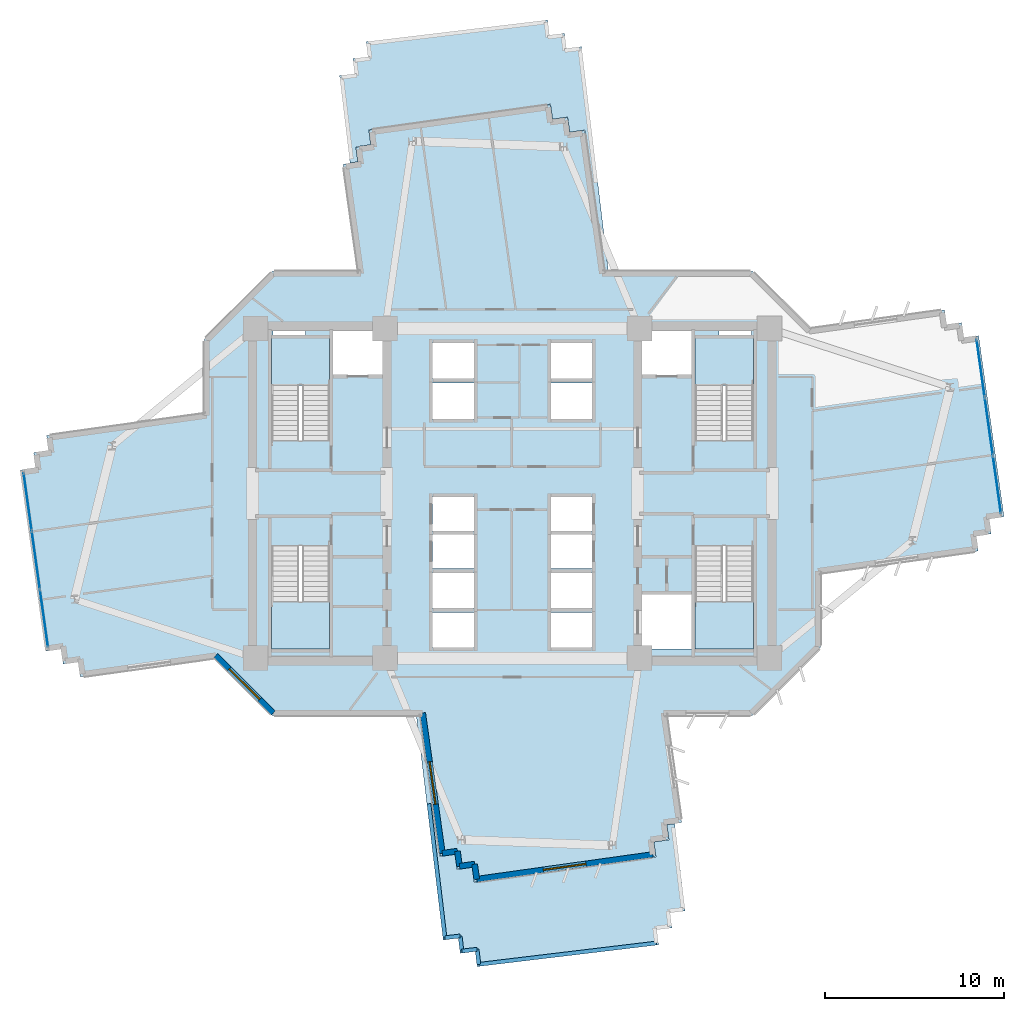
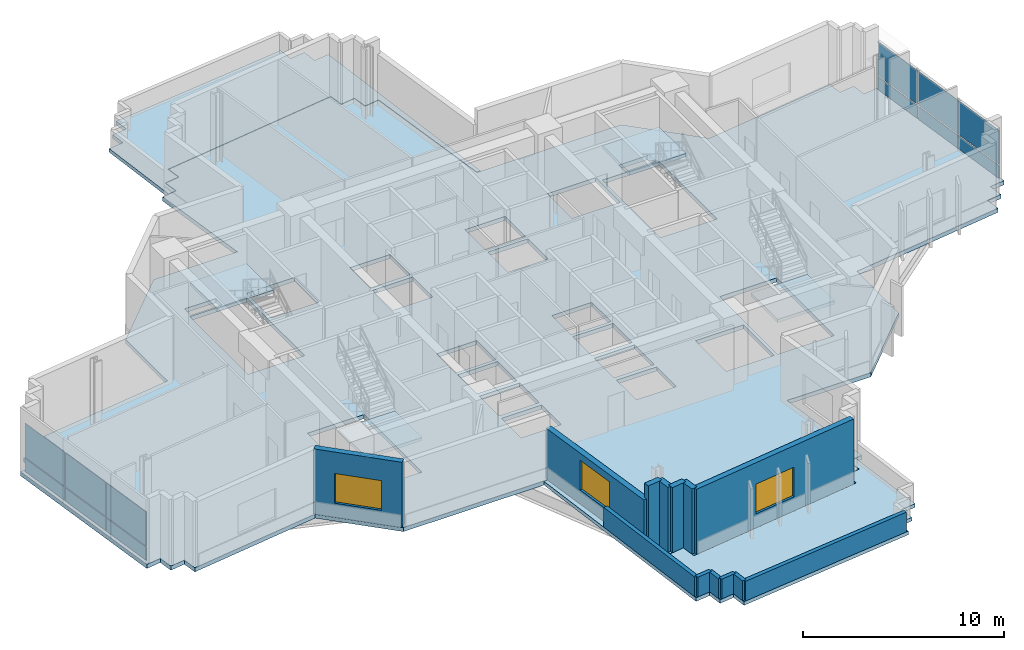
# One storey, part 5 of 13: 13 walls, 12 plates, 7 slabs, 3 windows, 3 openings, 6 elements without a shape of their own.
"""IFC4 building model written with IfcOpenShell, lengths in metres."""

from ifc_helpers import new_model, si_unit, direction, frame, frame_2d, origin, origin_2d, place, context, subcontext, project, spatial, polyline, rectangle, outline, extrude, source, transform, mapped, material, layer, layer_set, type_object, element, fill, aggregate, save


model = new_model("IFC4")

# Units and contexts
model_context = context("Model", 3, precision=1e-05, world=origin(), true_north=direction((0.0, 1.0)))
body_context = subcontext(model_context, "Body", "Model", "MODEL_VIEW")
ifc_project = project(units=[si_unit("LENGTHUNIT", "METRE"), si_unit("AREAUNIT", "SQUARE_METRE"), si_unit("VOLUMEUNIT", "CUBIC_METRE"), si_unit("PLANEANGLEUNIT", "RADIAN"), si_unit("MASSUNIT", "GRAM", prefix="KILO")], contexts=[model_context])

# Site, building, storey
site_placement = place(None, origin())
site = spatial("IfcSite", under=ifc_project, at=site_placement, CompositionType="ELEMENT")
building_placement = place(site_placement, origin())
building = spatial("IfcBuilding", under=site, at=building_placement, Name="Zahravan Cultural Tower", CompositionType="ELEMENT")
storey_placement = place(building_placement, frame((0.0, 0.0, 117.300048828125)))
storey = spatial("IfcBuildingStorey", under=building, at=storey_placement, Name="L26", CompositionType="ELEMENT", Elevation=117.300048828125)

# Slabs
ifc_material_1 = material(Name="Precast concrete C40/50", Category="concrete")
ifc_layer_1 = layer(ifc_material_1, 0.219970703125)
ifc_layer_set_1 = layer_set([ifc_layer_1], Name="Precast concrete C40/50")
slab_type_1 = type_object("IfcSlabType", Name="SL-ROOF-220", PredefinedType="ROOF", material=ifc_layer_set_1)
slab_1_placement = place(storey_placement, frame((0.0, 0.0, -0.219970703125)))
element("IfcSlab", 1, at=slab_1_placement, inside=storey, type_object=slab_type_1, Name="L26 Setback Roof Slab 1", PredefinedType="ROOF", context=body_context, shape_type="SweptSolid", body=[
    extrude(outline(polyline([(44.8017578125, 3.58154296875), (45.645751953125, 3.682861328125), (45.060791015625, 8.559326171875), (44.6220703125, 8.497802734375), (44.7373046875, 7.67578125), (44.730712890625, 7.658203125), (43.8984375, 7.5380859375), (44.013671875, 6.716064453125), (44.009765625, 6.701416015625), (43.99853515625, 6.69384765625), (33.895263671875, 5.277587890625), (33.880615234375, 5.28125), (33.872802734375, 5.29443359375), (33.757568359375, 6.116455078125), (32.935546875, 6.001220703125), (32.91650390625, 6.00927734375), (32.7978515625, 6.840087890625), (31.975830078125, 6.72509765625), (31.9609375, 6.728759765625), (31.953125, 6.741943359375), (30.8544921875, 14.580078125), (30.64111328125, 14.580078125), (32.142578125, 2.06298828125), (32.986328125, 2.164306640625), (33.087646484375, 1.3203125), (33.931640625, 1.421630859375), (34.03271484375, 0.57763671875), (44.16015625, 1.79248046875), (44.05908203125, 2.636474609375), (44.90283203125, 2.737548828125), (44.8017578125, 3.58154296875)])), origin(), (0.0, 0.0, 1.0), 0.219970703125),
])
slab_2_placement = place(storey_placement, frame((0.0, 0.0, -0.219970703125)))
element("IfcSlab", 2, at=slab_2_placement, inside=storey, type_object=slab_type_1, Name="L26 Setback Roof Slab 2", PredefinedType="ROOF", context=body_context, shape_type="SweptSolid", body=[
    extrude(outline(polyline([(27.1982421875, 50.41845703125), (26.354248046875, 50.317138671875), (26.939208984375, 45.440673828125), (27.3779296875, 45.502197265625), (27.2626953125, 46.32421875), (27.269287109375, 46.341796875), (28.1015625, 46.4619140625), (27.986328125, 47.283935546875), (27.990234375, 47.298583984375), (28.00146484375, 47.30615234375), (38.104736328125, 48.722412109375), (38.119384765625, 48.71875), (38.127197265625, 48.70556640625), (38.242431640625, 47.883544921875), (39.064453125, 47.998779296875), (39.08349609375, 47.99072265625), (39.2021484375, 47.159912109375), (40.024169921875, 47.27490234375), (40.0390625, 47.271240234375), (40.046875, 47.258056640625), (41.1455078125, 39.419921875), (41.35888671875, 39.419921875), (39.857421875, 51.93701171875), (39.013671875, 51.835693359375), (38.912353515625, 52.6796875), (38.068359375, 52.578369140625), (37.96728515625, 53.42236328125), (27.83984375, 52.20751953125), (27.94091796875, 51.363525390625), (27.09716796875, 51.262451171875), (27.1982421875, 50.41845703125)])), origin(), (0.0, 0.0, 1.0), 0.219970703125),
])

# Stair, slab
ifc_material_2 = material(Name="Concrete C45/55", Category="concrete")
stair_type = type_object("IfcStairType", Name="STR-DL-1550-420", PredefinedType="HALF_TURN_STAIR", material=ifc_material_2)
stair_1_placement = place(storey_placement, origin())
stair_1 = element("IfcStair", 3, at=stair_1_placement, inside=storey, type_object=stair_type, Name="L26 West Core North Exit Stair ST-W1", PredefinedType="HALF_TURN_STAIR")
ifc_layer_2 = layer(ifc_material_2, 0.199951171875)
ifc_layer_set_2 = layer_set([ifc_layer_2], Name="Concrete C45/55")
slab_type_2 = type_object("IfcSlabType", Name="SL-STAIR-LND200", PredefinedType="LANDING", material=ifc_layer_set_2)
slab_3_placement = place(storey_placement, frame((0.0, 0.0, 1.89990234375)))
slab_3 = element("IfcSlab", 4, at=slab_3_placement, type_object=slab_type_2, Name="ST-W1 landing 1", PredefinedType="LANDING", context=body_context, shape_type="SweptSolid", body=[
    extrude(outline(polyline([(25.800048828125, 33.030029296875), (25.800048828125, 35.699951171875), (22.550048828125, 35.699951171875), (22.550048828125, 33.030029296875), (25.800048828125, 33.030029296875)])), origin(), (0.0, 0.0, 1.0), 0.199951171875),
])
aggregate(stair_1, [slab_3])

stair_2_placement = place(storey_placement, origin())
stair_2 = element("IfcStair", 5, at=stair_2_placement, inside=storey, type_object=stair_type, Name="L26 West Core South Exit Stair ST-W2", PredefinedType="HALF_TURN_STAIR")
slab_4_placement = place(storey_placement, frame((0.0, 0.0, 1.89990234375)))
slab_4 = element("IfcSlab", 6, at=slab_4_placement, type_object=slab_type_2, Name="ST-W2 landing 1", PredefinedType="LANDING", context=body_context, shape_type="SweptSolid", body=[
    extrude(outline(polyline([(22.550048828125, 20.969970703125), (22.550048828125, 18.300048828125), (25.800048828125, 18.300048828125), (25.800048828125, 20.969970703125), (22.550048828125, 20.969970703125)])), origin(), (0.0, 0.0, 1.0), 0.199951171875),
])
aggregate(stair_2, [slab_4])

stair_3_placement = place(storey_placement, origin())
stair_3 = element("IfcStair", 7, at=stair_3_placement, inside=storey, type_object=stair_type, Name="L26 East Core North Exit Stair ST-E1", PredefinedType="HALF_TURN_STAIR")
slab_5_placement = place(storey_placement, frame((0.0, 0.0, 1.89990234375)))
slab_5 = element("IfcSlab", 8, at=slab_5_placement, type_object=slab_type_2, Name="ST-E1 landing 1", PredefinedType="LANDING", context=body_context, shape_type="SweptSolid", body=[
    extrude(outline(polyline([(49.449951171875, 33.030029296875), (49.449951171875, 35.699951171875), (46.199951171875, 35.699951171875), (46.199951171875, 33.030029296875), (49.449951171875, 33.030029296875)])), origin(), (0.0, 0.0, 1.0), 0.199951171875),
])
aggregate(stair_3, [slab_5])

stair_4_placement = place(storey_placement, origin())
stair_4 = element("IfcStair", 9, at=stair_4_placement, inside=storey, type_object=stair_type, Name="L26 East Core South Exit Stair ST-E2", PredefinedType="HALF_TURN_STAIR")
slab_6_placement = place(storey_placement, frame((0.0, 0.0, 1.89990234375)))
slab_6 = element("IfcSlab", 10, at=slab_6_placement, type_object=slab_type_2, Name="ST-E2 landing 1", PredefinedType="LANDING", context=body_context, shape_type="SweptSolid", body=[
    extrude(outline(polyline([(46.199951171875, 20.969970703125), (46.199951171875, 18.300048828125), (49.449951171875, 18.300048828125), (49.449951171875, 20.969970703125), (46.199951171875, 20.969970703125)])), origin(), (0.0, 0.0, 1.0), 0.199951171875),
])
aggregate(stair_4, [slab_6])

# Slab
ifc_material_3 = material(Name="Concrete C40/50", Category="concrete")
ifc_layer_3 = layer(ifc_material_3, 0.25)
ifc_layer_set_3 = layer_set([ifc_layer_3], Name="Concrete C40/50")
slab_type_3 = type_object("IfcSlabType", Name="SL-TYP-250", PredefinedType="FLOOR", material=ifc_layer_set_3)
slab_7_placement = place(storey_placement, frame((0.0, 0.0, -0.25)))
element("IfcSlab", 11, at=slab_7_placement, inside=storey, type_object=slab_type_3, Name="L26 Structural Floor Slab", PredefinedType="FLOOR", context=body_context, shape_type="SweptSolid", body=[
    extrude(outline(polyline([(52.605712890625, 36.1943359375), (49.39990234375, 39.39990234375), (41.128173828125, 39.39990234375), (40.027099609375, 47.255126953125), (39.185302734375, 47.13720703125), (39.067138671875, 47.97900390625), (38.2255859375, 47.861083984375), (38.107421875, 48.70263671875), (28.006103515625, 47.28662109375), (28.124267578125, 46.44482421875), (27.282470703125, 46.326904296875), (27.400390625, 45.485107421875), (26.55859375, 45.3671875), (27.395263671875, 39.39990234375), (22.60009765625, 39.39990234375), (18.800048828125, 35.60009765625), (18.800048828125, 31.455322265625), (10.0009765625, 30.2216796875), (10.118896484375, 29.3798828125), (9.277099609375, 29.261962890625), (9.395263671875, 28.42041015625), (8.553466796875, 28.30224609375), (9.969482421875, 18.200927734375), (10.811279296875, 18.319091796875), (10.92919921875, 17.477294921875), (11.77099609375, 17.59521484375), (11.888916015625, 16.75341796875), (19.394287109375, 17.8056640625), (22.60009765625, 14.60009765625), (30.871826171875, 14.60009765625), (31.972900390625, 6.744873046875), (32.814697265625, 6.86279296875), (32.932861328125, 6.02099609375), (33.7744140625, 6.138916015625), (33.892578125, 5.29736328125), (43.993896484375, 6.71337890625), (43.875732421875, 7.55517578125), (44.717529296875, 7.673095703125), (44.599609375, 8.514892578125), (45.44140625, 8.6328125), (44.604736328125, 14.60009765625), (49.39990234375, 14.60009765625), (53.199951171875, 18.39990234375), (53.199951171875, 22.544677734375), (61.9990234375, 23.7783203125), (61.881103515625, 24.6201171875), (62.722900390625, 24.738037109375), (62.604736328125, 25.57958984375), (63.446533203125, 25.69775390625), (62.030517578125, 35.799072265625), (61.188720703125, 35.680908203125), (61.07080078125, 36.522705078125), (60.22900390625, 36.40478515625), (60.111083984375, 37.24658203125), (52.605712890625, 36.1943359375)]), holes=[polyline([(22.550048828125, 29.949951171875), (22.550048828125, 35.699951171875), (25.800048828125, 35.699951171875), (25.800048828125, 29.949951171875), (22.550048828125, 29.949951171875)]), polyline([(22.550048828125, 18.300048828125), (22.550048828125, 24.050048828125), (25.800048828125, 24.050048828125), (25.800048828125, 18.300048828125), (22.550048828125, 18.300048828125)]), polyline([(46.199951171875, 29.949951171875), (46.199951171875, 35.699951171875), (49.449951171875, 35.699951171875), (49.449951171875, 29.949951171875), (46.199951171875, 29.949951171875)]), polyline([(46.199951171875, 18.300048828125), (46.199951171875, 24.050048828125), (49.449951171875, 24.050048828125), (49.449951171875, 18.300048828125), (46.199951171875, 18.300048828125)]), polyline([(26.0, 33.60009765625), (26.0, 36.050048828125), (28.75, 36.050048828125), (28.75, 33.60009765625), (26.0, 33.60009765625)]), polyline([(43.25, 33.60009765625), (43.25, 36.050048828125), (46.0, 36.050048828125), (46.0, 33.60009765625), (43.25, 33.60009765625)]), polyline([(43.25, 18.300048828125), (43.25, 21.35009765625), (46.0, 21.35009765625), (46.0, 18.300048828125), (43.25, 18.300048828125)]), polyline([(31.550048828125, 33.39990234375), (31.550048828125, 35.39990234375), (33.85009765625, 35.39990234375), (33.85009765625, 33.39990234375), (31.550048828125, 33.39990234375)]), polyline([(31.550048828125, 31.14990234375), (31.550048828125, 33.14990234375), (33.85009765625, 33.14990234375), (33.85009765625, 31.14990234375), (31.550048828125, 31.14990234375)]), polyline([(38.14990234375, 33.39990234375), (38.14990234375, 35.39990234375), (40.449951171875, 35.39990234375), (40.449951171875, 33.39990234375), (38.14990234375, 33.39990234375)]), polyline([(38.14990234375, 31.14990234375), (38.14990234375, 33.14990234375), (40.449951171875, 33.14990234375), (40.449951171875, 31.14990234375), (38.14990234375, 31.14990234375)]), polyline([(31.550048828125, 20.60009765625), (31.550048828125, 22.550048828125), (33.85009765625, 22.550048828125), (33.85009765625, 20.60009765625), (31.550048828125, 20.60009765625)]), polyline([(31.550048828125, 18.39990234375), (31.550048828125, 20.35009765625), (33.85009765625, 20.35009765625), (33.85009765625, 18.39990234375), (31.550048828125, 18.39990234375)]), polyline([(38.14990234375, 20.60009765625), (38.14990234375, 22.550048828125), (40.449951171875, 22.550048828125), (40.449951171875, 20.60009765625), (38.14990234375, 20.60009765625)]), polyline([(38.14990234375, 18.39990234375), (38.14990234375, 20.35009765625), (40.449951171875, 20.35009765625), (40.449951171875, 18.39990234375), (38.14990234375, 18.39990234375)]), polyline([(31.550048828125, 24.89990234375), (31.550048828125, 26.800048828125), (33.85009765625, 26.800048828125), (33.85009765625, 24.89990234375), (31.550048828125, 24.89990234375)]), polyline([(31.550048828125, 22.800048828125), (31.550048828125, 24.699951171875), (33.85009765625, 24.699951171875), (33.85009765625, 22.800048828125), (31.550048828125, 22.800048828125)]), polyline([(38.14990234375, 24.89990234375), (38.14990234375, 26.800048828125), (40.449951171875, 26.800048828125), (40.449951171875, 24.89990234375), (38.14990234375, 24.89990234375)]), polyline([(38.14990234375, 22.800048828125), (38.14990234375, 24.699951171875), (40.449951171875, 24.699951171875), (40.449951171875, 22.800048828125), (38.14990234375, 22.800048828125)]), polyline([(22.64990234375, 35.800048828125), (22.64990234375, 36.419921875), (24.449951171875, 36.419921875), (24.449951171875, 35.800048828125), (22.64990234375, 35.800048828125)]), polyline([(47.550048828125, 35.800048828125), (47.550048828125, 36.419921875), (49.35009765625, 36.419921875), (49.35009765625, 35.800048828125), (47.550048828125, 35.800048828125)])]), origin(), (0.0, 0.0, 1.0), 0.25),
])

# Curtain wall, plates
ifc_material_4 = material(Name="Anodised bronze-aluminium mullion", Category="aluminium")
ifc_layer_4 = layer(ifc_material_4, 0.219970703125)
ifc_layer_set_4 = layer_set([ifc_layer_4], Name="Anodised bronze-aluminium mullion")
curtain_wall_type_1 = type_object("IfcCurtainWallType", Name="CW-SYS-1", PredefinedType="USERDEFINED", material=ifc_layer_set_4)
curtain_wall_1_placement = place(storey_placement, origin())
curtain_wall_1 = element("IfcCurtainWall", 12, at=curtain_wall_1_placement, inside=storey, type_object=curtain_wall_type_1, Name="L26 Recessed Curtain Wall CW-1.1", ObjectType="RECESSED GLAZING", PredefinedType="USERDEFINED")
ifc_material_5 = material(Name="Low-E solar-control double glazing", Category="glass")
ifc_layer_5 = layer(ifc_material_5, 0.031982421875)
ifc_layer_set_5 = layer_set([ifc_layer_5], Name="Low-E solar-control double glazing")
plate_type_1 = type_object("IfcPlateType", Name="CWP-CW-1", PredefinedType="CURTAIN_PANEL", material=ifc_layer_set_5)
shared_shape_1 = source(origin(), body_context, "Body", "SweptSolid", [
    extrude(rectangle(XDim=3.186767578125, YDim=0.031982421875, at=origin_2d()), origin(), (0.0, 0.0, 1.0), 0.780029296875),
])
plate_1_placement = place(storey_placement, frame((62.1435546875, 33.983642578125, 0.080078125), z_axis=(0.0, 0.0, 1.0), x_axis=(0.138829759313, -0.99031626157, 0.0)))
plate_1 = element("IfcPlate", 13, at=plate_1_placement, type_object=plate_type_1, Name="CW-1 panel 1.1", PredefinedType="CURTAIN_PANEL", context=body_context, shape_type="MappedRepresentation", body=[
    mapped(shared_shape_1, transform((0.0, 0.0, 0.0), x_axis=(1.0, 0.0, 0.0), y_axis=(0.0, 1.0, 0.0), z_axis=(0.0, 0.0, 1.0), scale=1.0)),
])
plate_2_placement = place(storey_placement, frame((63.05615234375, 27.47412109375, 0.080078125), z_axis=(0.0, 0.0, 1.0), x_axis=(0.138829759313, -0.99031626157, 0.0)))
plate_2 = element("IfcPlate", 14, at=plate_2_placement, type_object=plate_type_1, Name="CW-1 panel 3.1", PredefinedType="CURTAIN_PANEL", context=body_context, shape_type="MappedRepresentation", body=[
    mapped(shared_shape_1, transform((0.0, 0.0, 0.0), x_axis=(1.0, 0.0, 0.0), y_axis=(0.0, 1.0, 0.0), z_axis=(0.0, 0.0, 1.0), scale=1.0)),
])
shared_shape_2 = source(origin(), body_context, "Body", "SweptSolid", [
    extrude(rectangle(XDim=3.186767578125, YDim=0.031982421875, at=origin_2d()), origin(), (0.0, 0.0, 1.0), 2.050048828125),
])
plate_3_placement = place(storey_placement, frame((62.1435546875, 33.983642578125, 0.93994140625), z_axis=(0.0, 0.0, 1.0), x_axis=(0.138829759313, -0.99031626157, 0.0)))
plate_3 = element("IfcPlate", 15, at=plate_3_placement, type_object=plate_type_1, Name="CW-1 panel 1.2", PredefinedType="CURTAIN_PANEL", context=body_context, shape_type="MappedRepresentation", body=[
    mapped(shared_shape_2, transform((0.0, 0.0, 0.0), x_axis=(1.0, 0.0, 0.0), y_axis=(0.0, 1.0, 0.0), z_axis=(0.0, 0.0, 1.0), scale=1.0)),
])
plate_4_placement = place(storey_placement, frame((63.05615234375, 27.47412109375, 0.93994140625), z_axis=(0.0, 0.0, 1.0), x_axis=(0.138829759313, -0.99031626157, 0.0)))
plate_4 = element("IfcPlate", 16, at=plate_4_placement, type_object=plate_type_1, Name="CW-1 panel 3.2", PredefinedType="CURTAIN_PANEL", context=body_context, shape_type="MappedRepresentation", body=[
    mapped(shared_shape_2, transform((0.0, 0.0, 0.0), x_axis=(1.0, 0.0, 0.0), y_axis=(0.0, 1.0, 0.0), z_axis=(0.0, 0.0, 1.0), scale=1.0)),
])
shared_shape_3 = source(origin(), body_context, "Body", "SweptSolid", [
    extrude(rectangle(XDim=3.226806640625, YDim=0.031982421875, at=origin_2d()), origin(), (0.0, 0.0, 1.0), 0.780029296875),
])
plate_5_placement = place(storey_placement, frame((62.599853515625, 30.72900390625, 0.080078125), z_axis=(0.0, 0.0, 1.0), x_axis=(0.138829759313, -0.99031626157, 0.0)))
plate_5 = element("IfcPlate", 17, at=plate_5_placement, type_object=plate_type_1, Name="CW-1 panel 2.1", PredefinedType="CURTAIN_PANEL", context=body_context, shape_type="MappedRepresentation", body=[
    mapped(shared_shape_3, transform((0.0, 0.0, 0.0), x_axis=(1.0, 0.0, 0.0), y_axis=(0.0, 1.0, 0.0), z_axis=(0.0, 0.0, 1.0), scale=1.0)),
])
shared_shape_4 = source(origin(), body_context, "Body", "SweptSolid", [
    extrude(rectangle(XDim=3.226806640625, YDim=0.031982421875, at=origin_2d()), origin(), (0.0, 0.0, 1.0), 2.050048828125),
])
plate_6_placement = place(storey_placement, frame((62.599853515625, 30.72900390625, 0.93994140625), z_axis=(0.0, 0.0, 1.0), x_axis=(0.138829759313, -0.99031626157, 0.0)))
plate_6 = element("IfcPlate", 18, at=plate_6_placement, type_object=plate_type_1, Name="CW-1 panel 2.2", PredefinedType="CURTAIN_PANEL", context=body_context, shape_type="MappedRepresentation", body=[
    mapped(shared_shape_4, transform((0.0, 0.0, 0.0), x_axis=(1.0, 0.0, 0.0), y_axis=(0.0, 1.0, 0.0), z_axis=(0.0, 0.0, 1.0), scale=1.0)),
])
aggregate(curtain_wall_1, [plate_1, plate_3, plate_5, plate_6, plate_2, plate_4])

ifc_layer_6 = layer(ifc_material_4, 0.199951171875)
ifc_layer_set_6 = layer_set([ifc_layer_6], Name="Anodised bronze-aluminium mullion")
curtain_wall_type_2 = type_object("IfcCurtainWallType", Name="CW-SYS-2", PredefinedType="USERDEFINED", material=ifc_layer_set_6)
curtain_wall_2_placement = place(storey_placement, origin())
curtain_wall_2 = element("IfcCurtainWall", 19, at=curtain_wall_2_placement, inside=storey, type_object=curtain_wall_type_2, Name="L26 Recessed Curtain Wall CW-2.2", ObjectType="RECESSED GLAZING", PredefinedType="USERDEFINED")
ifc_layer_7 = layer(ifc_material_5, 0.030029296875)
ifc_layer_set_7 = layer_set([ifc_layer_7], Name="Low-E solar-control double glazing")
plate_type_2 = type_object("IfcPlateType", Name="CWP-CW-2", PredefinedType="CURTAIN_PANEL", material=ifc_layer_set_7)
shared_shape_5 = source(origin(), body_context, "Body", "SweptSolid", [
    extrude(rectangle(XDim=3.194091796875, YDim=0.030029296875, at=origin_2d()), origin(), (0.0, 0.0, 1.0), 0.78759765625),
])
plate_7_placement = place(storey_placement, frame((9.8564453125, 20.014892578125, 0.074951171875), z_axis=(0.0, 0.0, 1.0), x_axis=(-0.138829759313, 0.99031626157, 0.0)))
plate_7 = element("IfcPlate", 20, at=plate_7_placement, type_object=plate_type_2, Name="CW-2 panel 1.1", PredefinedType="CURTAIN_PANEL", context=body_context, shape_type="MappedRepresentation", body=[
    mapped(shared_shape_5, transform((0.0, 0.0, 0.0), x_axis=(1.0, 0.0, 0.0), y_axis=(0.0, 1.0, 0.0), z_axis=(0.0, 0.0, 1.0), scale=1.0)),
])
plate_8_placement = place(storey_placement, frame((8.943603515625, 26.527099609375, 0.074951171875), z_axis=(0.0, 0.0, 1.0), x_axis=(-0.138829759313, 0.99031626157, 0.0)))
plate_8 = element("IfcPlate", 21, at=plate_8_placement, type_object=plate_type_2, Name="CW-2 panel 3.1", PredefinedType="CURTAIN_PANEL", context=body_context, shape_type="MappedRepresentation", body=[
    mapped(shared_shape_5, transform((0.0, 0.0, 0.0), x_axis=(1.0, 0.0, 0.0), y_axis=(0.0, 1.0, 0.0), z_axis=(0.0, 0.0, 1.0), scale=1.0)),
])
shared_shape_6 = source(origin(), body_context, "Body", "SweptSolid", [
    extrude(rectangle(XDim=3.194091796875, YDim=0.030029296875, at=origin_2d()), origin(), (0.0, 0.0, 1.0), 2.0576171875),
])
plate_9_placement = place(storey_placement, frame((9.8564453125, 20.014892578125, 0.9375), z_axis=(0.0, 0.0, 1.0), x_axis=(-0.138829759313, 0.99031626157, 0.0)))
plate_9 = element("IfcPlate", 22, at=plate_9_placement, type_object=plate_type_2, Name="CW-2 panel 1.2", PredefinedType="CURTAIN_PANEL", context=body_context, shape_type="MappedRepresentation", body=[
    mapped(shared_shape_6, transform((0.0, 0.0, 0.0), x_axis=(1.0, 0.0, 0.0), y_axis=(0.0, 1.0, 0.0), z_axis=(0.0, 0.0, 1.0), scale=1.0)),
])
plate_10_placement = place(storey_placement, frame((8.943603515625, 26.527099609375, 0.9375), z_axis=(0.0, 0.0, 1.0), x_axis=(-0.138829759313, 0.99031626157, 0.0)))
plate_10 = element("IfcPlate", 23, at=plate_10_placement, type_object=plate_type_2, Name="CW-2 panel 3.2", PredefinedType="CURTAIN_PANEL", context=body_context, shape_type="MappedRepresentation", body=[
    mapped(shared_shape_6, transform((0.0, 0.0, 0.0), x_axis=(1.0, 0.0, 0.0), y_axis=(0.0, 1.0, 0.0), z_axis=(0.0, 0.0, 1.0), scale=1.0)),
])
shared_shape_7 = source(origin(), body_context, "Body", "SweptSolid", [
    extrude(rectangle(XDim=3.231689453125, YDim=0.030029296875, at=origin_2d()), origin(), (0.0, 0.0, 1.0), 0.78759765625),
])
plate_11_placement = place(storey_placement, frame((9.400146484375, 23.27099609375, 0.074951171875), z_axis=(0.0, 0.0, 1.0), x_axis=(-0.138829759313, 0.99031626157, 0.0)))
plate_11 = element("IfcPlate", 24, at=plate_11_placement, type_object=plate_type_2, Name="CW-2 panel 2.1", PredefinedType="CURTAIN_PANEL", context=body_context, shape_type="MappedRepresentation", body=[
    mapped(shared_shape_7, transform((0.0, 0.0, 0.0), x_axis=(1.0, 0.0, 0.0), y_axis=(0.0, 1.0, 0.0), z_axis=(0.0, 0.0, 1.0), scale=1.0)),
])
shared_shape_8 = source(origin(), body_context, "Body", "SweptSolid", [
    extrude(rectangle(XDim=3.231689453125, YDim=0.030029296875, at=origin_2d()), origin(), (0.0, 0.0, 1.0), 2.0576171875),
])
plate_12_placement = place(storey_placement, frame((9.400146484375, 23.27099609375, 0.9375), z_axis=(0.0, 0.0, 1.0), x_axis=(-0.138829759313, 0.99031626157, 0.0)))
plate_12 = element("IfcPlate", 25, at=plate_12_placement, type_object=plate_type_2, Name="CW-2 panel 2.2", PredefinedType="CURTAIN_PANEL", context=body_context, shape_type="MappedRepresentation", body=[
    mapped(shared_shape_8, transform((0.0, 0.0, 0.0), x_axis=(1.0, 0.0, 0.0), y_axis=(0.0, 1.0, 0.0), z_axis=(0.0, 0.0, 1.0), scale=1.0)),
])
aggregate(curtain_wall_2, [plate_7, plate_9, plate_11, plate_12, plate_8, plate_10])

# Wall, opening, window
ifc_layer_8 = layer(ifc_material_1, 0.320068359375)
ifc_layer_set_8 = layer_set([ifc_layer_8], Name="Precast concrete C40/50")
wall_type_1 = type_object("IfcWallType", Name="EW-TC-320", PredefinedType="SOLIDWALL", material=ifc_layer_set_8)
wall_1_placement = place(storey_placement, frame((43.835693359375, 6.83251953125, 0.0), z_axis=(0.0, 0.0, 1.0), x_axis=(-0.990316250135, -0.138829840876, 0.0)))
wall_1 = element("IfcWall", 26, at=wall_1_placement, inside=storey, type_object=wall_type_1, Name="L26 Exterior Masonry Frame Wall 19", PredefinedType="SOLIDWALL", context=body_context, shape_type="SweptSolid", body=[
    extrude(rectangle(XDim=9.919921875, YDim=0.320068359375, at=frame_2d((4.9599609375, 0.0))), origin(), (0.0, 0.0, 1.0), 3.949951171875),
])
opening_1_placement = place(wall_1_placement, frame((3.760009765625, 0.0, 0.85009765625)))
opening_1 = element("IfcOpeningElement", 27, at=opening_1_placement, cuts=wall_1, Name="Opening WN-01", PredefinedType="OPENING", context=body_context, shape_type="SweptSolid", body=[
    extrude(rectangle(XDim=2.39990234375, YDim=1.800048828125, at=frame_2d((1.199951171875, 0.89990234375))), frame((0.0, 0.169921875, 0.0), z_axis=(0.0, -1.0, 0.0), x_axis=(1.0, 0.0, 0.0)), (0.0, 0.0, 1.0), 0.340087890625),
])
window_type = type_object("IfcWindowType", Name="WN-REC-2400X1800", PartitioningType="DOUBLE_PANEL_VERTICAL", PredefinedType="WINDOW", material=ifc_material_5)
shared_shape_9 = source(origin(), body_context, "Body", "SweptSolid", [
    extrude(rectangle(XDim=2.39990234375, YDim=1.800048828125, at=frame_2d((1.199951171875, 0.89990234375))), frame((0.0, 0.030029296875, 0.0), z_axis=(0.0, -1.0, 0.0), x_axis=(1.0, 0.0, 0.0)), (0.0, 0.0, 1.0), 0.06005859375),
])
window_1_placement = place(opening_1_placement, origin())
window_1 = element("IfcWindow", 28, at=window_1_placement, inside=storey, type_object=window_type, Name="L26 Recessed Solar Window 05", OverallHeight=1.800048828125, OverallWidth=2.39990234375, PartitioningType="DOUBLE_PANEL_VERTICAL", PredefinedType="WINDOW", context=body_context, shape_type="MappedRepresentation", body=[
    mapped(shared_shape_9, transform((0.0, 0.0, 0.0), x_axis=(1.0, 0.0, 0.0), y_axis=(0.0, 1.0, 0.0), z_axis=(0.0, 0.0, 1.0), scale=1.0)),
])
fill(opening_1, window_1)

wall_2_placement = place(storey_placement, frame((32.09228515625, 6.90283203125, 0.0), z_axis=(0.0, 0.0, 1.0), x_axis=(-0.138855403592, 0.990312666229, 0.0)))
wall_2 = element("IfcWall", 29, at=wall_2_placement, inside=storey, type_object=wall_type_1, Name="L26 Exterior Masonry Frame Wall 24", PredefinedType="SOLIDWALL", context=body_context, shape_type="SweptSolid", body=[
    extrude(rectangle(XDim=7.913818359375, YDim=0.320068359375, at=frame_2d((3.95703125, 0.0))), origin(), (0.0, 0.0, 1.0), 3.079833984375),
])
opening_2_placement = place(wall_2_placement, frame((2.757080078125, 0.0, 0.85009765625)))
opening_2 = element("IfcOpeningElement", 30, at=opening_2_placement, cuts=wall_2, Name="Opening WN-01", PredefinedType="OPENING", context=body_context, shape_type="SweptSolid", body=[
    extrude(rectangle(XDim=2.39990234375, YDim=1.800048828125, at=frame_2d((1.199951171875, 0.89990234375))), frame((0.0, 0.169921875, 0.0), z_axis=(0.0, -1.0, 0.0), x_axis=(1.0, 0.0, 0.0)), (0.0, 0.0, 1.0), 0.340087890625),
])
window_2_placement = place(opening_2_placement, origin())
window_2 = element("IfcWindow", 31, at=window_2_placement, inside=storey, type_object=window_type, Name="L26 Recessed Solar Window 06", OverallHeight=1.800048828125, OverallWidth=2.39990234375, PartitioningType="DOUBLE_PANEL_VERTICAL", PredefinedType="WINDOW", context=body_context, shape_type="MappedRepresentation", body=[
    mapped(shared_shape_9, transform((0.0, 0.0, 0.0), x_axis=(1.0, 0.0, 0.0), y_axis=(0.0, 1.0, 0.0), z_axis=(0.0, 0.0, 1.0), scale=1.0)),
])
fill(opening_2, window_2)

wall_3_placement = place(storey_placement, frame((22.657958984375, 14.739990234375, 0.0), z_axis=(0.0, 0.0, 1.0), x_axis=(-0.707106781187, 0.707106781187, 0.0)))
wall_3 = element("IfcWall", 32, at=wall_3_placement, inside=storey, type_object=wall_type_1, Name="L26 Exterior Masonry Frame Wall 26", PredefinedType="SOLIDWALL", context=body_context, shape_type="SweptSolid", body=[
    extrude(rectangle(XDim=4.545166015625, YDim=0.320068359375, at=frame_2d((2.2724609375, 0.0))), origin(), (0.0, 0.0, 1.0), 3.949951171875),
])
opening_3_placement = place(wall_3_placement, frame((1.072998046875, 0.0, 0.85009765625)))
opening_3 = element("IfcOpeningElement", 33, at=opening_3_placement, cuts=wall_3, Name="Opening WN-01", PredefinedType="OPENING", context=body_context, shape_type="SweptSolid", body=[
    extrude(rectangle(XDim=2.39990234375, YDim=1.800048828125, at=frame_2d((1.199951171875, 0.89990234375))), frame((0.0, 0.169921875, 0.0), z_axis=(0.0, -1.0, 0.0), x_axis=(1.0, 0.0, 0.0)), (0.0, 0.0, 1.0), 0.340087890625),
])
window_3_placement = place(opening_3_placement, origin())
window_3 = element("IfcWindow", 34, at=window_3_placement, inside=storey, type_object=window_type, Name="L26 Recessed Solar Window 07", OverallHeight=1.800048828125, OverallWidth=2.39990234375, PartitioningType="DOUBLE_PANEL_VERTICAL", PredefinedType="WINDOW", context=body_context, shape_type="MappedRepresentation", body=[
    mapped(shared_shape_9, transform((0.0, 0.0, 0.0), x_axis=(1.0, 0.0, 0.0), y_axis=(0.0, 1.0, 0.0), z_axis=(0.0, 0.0, 1.0), scale=1.0)),
])
fill(opening_3, window_3)

# Walls
shared_shape_10 = source(origin(), body_context, "Body", "SweptSolid", [
    extrude(rectangle(XDim=0.85009765625, YDim=0.320068359375, at=frame_2d((0.425048828125, 0.0))), origin(), (0.0, 0.0, 1.0), 3.949951171875),
])
for number, where, z_axis, x_axis, name in (
    (35, (34.01171875, 5.455322265625, 0.0), (0.0, 0.0, 1.0), (-0.138726719425, 0.990330700987, 0.0), "L26 Exterior Masonry Frame Wall 20"),
    (36, (33.893798828125, 6.297119140625, 0.0), (0.0, 0.0, 1.0), (-0.990330700987, -0.138726719425, 0.0), "L26 Exterior Masonry Frame Wall 21"),
    (37, (33.052001953125, 6.17919921875, 0.0), (0.0, 0.0, 1.0), (-0.138726719425, 0.990330700987, 0.0), "L26 Exterior Masonry Frame Wall 22"),
    (38, (32.93408203125, 7.02099609375, 0.0), (0.0, 0.0, 1.0), (-0.990291202841, -0.139008393902, 0.0), "L26 Exterior Masonry Frame Wall 23"),
):
    element("IfcWall", number, at=place(storey_placement, frame(where, z_axis=z_axis, x_axis=x_axis)), inside=storey, type_object=wall_type_1, Name=name, PredefinedType="SOLIDWALL", context=body_context, shape_type="MappedRepresentation", body=[
        mapped(shared_shape_10, transform((0.0, 0.0, 0.0), x_axis=(1.0, 0.0, 0.0), y_axis=(0.0, 1.0, 0.0), z_axis=(0.0, 0.0, 1.0), scale=1.0)),
    ])
ifc_layer_9 = layer(ifc_material_1, 0.219970703125)
ifc_layer_set_9 = layer_set([ifc_layer_9], Name="Precast concrete C40/50")
wall_type_2 = type_object("IfcWallType", Name="EW-PARAPET-220", PredefinedType="PARAPET", material=ifc_layer_set_9)
shared_shape_11 = source(origin(), body_context, "Body", "SweptSolid", [
    extrude(rectangle(XDim=0.85009765625, YDim=0.219970703125, at=frame_2d((0.425048828125, 0.0))), origin(), (0.0, 0.0, 1.0), 1.199951171875),
])
for number, where, z_axis, x_axis, name in (
    (39, (34.12890625, 0.699951171875, 0.0), (0.0, 0.0, 1.0), (-0.119190521137, 0.992871401376, 0.0), "L26 Setback Roof Parapet 7"),
    (40, (34.027587890625, 1.5439453125, 0.0), (0.0, 0.0, 1.0), (-0.992871401376, -0.119190521137, 0.0), "L26 Setback Roof Parapet 8"),
    (41, (33.18359375, 1.442626953125, 0.0), (0.0, 0.0, 1.0), (-0.118907380694, 0.992905350382, 0.0), "L26 Setback Roof Parapet 9"),
    (42, (33.08251953125, 2.28662109375, 0.0), (0.0, 0.0, 1.0), (-0.992871401376, -0.119190521137, 0.0), "L26 Setback Roof Parapet 10"),
):
    element("IfcWall", number, at=place(storey_placement, frame(where, z_axis=z_axis, x_axis=x_axis)), inside=storey, type_object=wall_type_2, Name=name, PredefinedType="PARAPET", context=body_context, shape_type="MappedRepresentation", body=[
        mapped(shared_shape_11, transform((0.0, 0.0, 0.0), x_axis=(1.0, 0.0, 0.0), y_axis=(0.0, 1.0, 0.0), z_axis=(0.0, 0.0, 1.0), scale=1.0)),
    ])
shared_shape_12 = source(origin(), body_context, "Body", "SweptSolid", [
    extrude(rectangle(XDim=9.97998046875, YDim=0.219970703125, at=frame_2d((4.989990234375, 0.0))), origin(), (0.0, 0.0, 1.0), 1.199951171875),
])
wall_4_placement = place(storey_placement, frame((44.037841796875, 1.888427734375, 0.0), z_axis=(0.0, 0.0, 1.0), x_axis=(-0.992883897859, -0.119086377776, 0.0)))
element("IfcWall", 43, at=wall_4_placement, inside=storey, type_object=wall_type_2, Name="L26 Setback Roof Parapet 6", PredefinedType="PARAPET", context=body_context, shape_type="MappedRepresentation", body=[
    mapped(shared_shape_12, transform((0.0, 0.0, 0.0), x_axis=(1.0, 0.0, 0.0), y_axis=(0.0, 1.0, 0.0), z_axis=(0.0, 0.0, 1.0), scale=1.0)),
])
shared_shape_13 = source(origin(), body_context, "Body", "SweptSolid", [
    extrude(rectangle(XDim=7.534912109375, YDim=0.219970703125, at=frame_2d((3.767578125, 0.0))), origin(), (0.0, 0.0, 1.0), 1.199951171875),
])
wall_5_placement = place(storey_placement, frame((32.238525390625, 2.185302734375, 0.0), z_axis=(0.0, 0.0, 1.0), x_axis=(-0.119076226187, 0.992885115387, 0.0)))
element("IfcWall", 44, at=wall_5_placement, inside=storey, type_object=wall_type_2, Name="L26 Setback Roof Parapet 11", PredefinedType="PARAPET", context=body_context, shape_type="MappedRepresentation", body=[
    mapped(shared_shape_13, transform((0.0, 0.0, 0.0), x_axis=(1.0, 0.0, 0.0), y_axis=(0.0, 1.0, 0.0), z_axis=(0.0, 0.0, 1.0), scale=1.0)),
])

save(model, "model.ifc")
